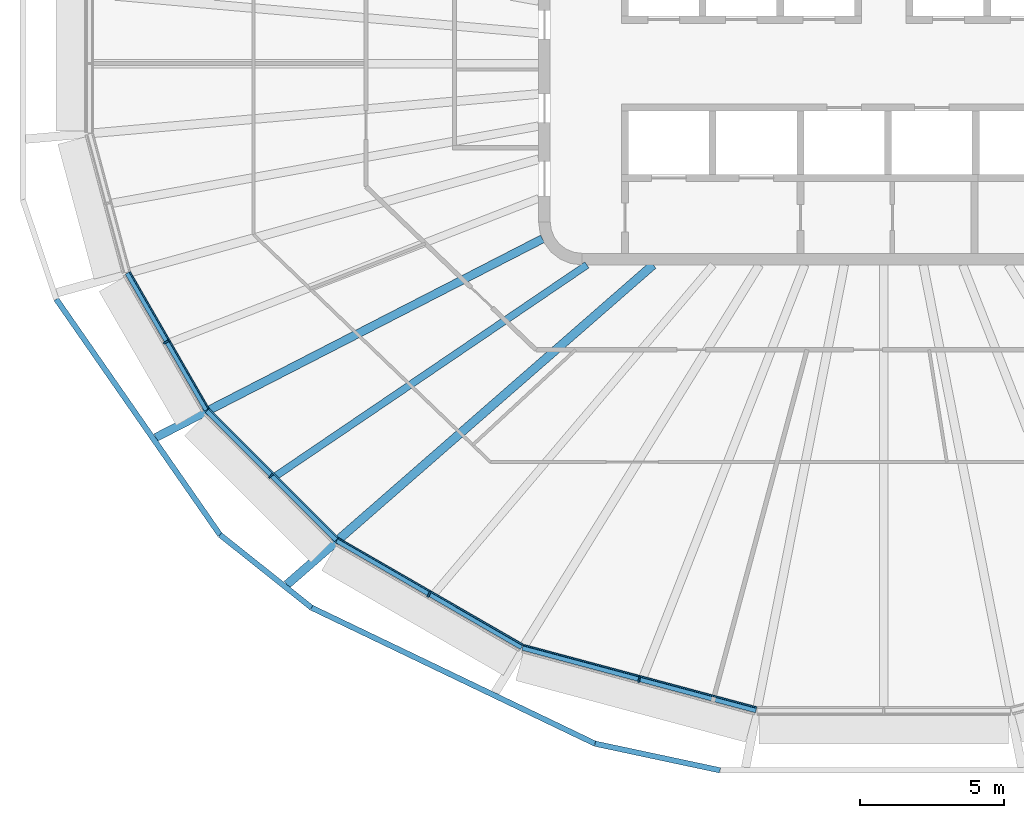
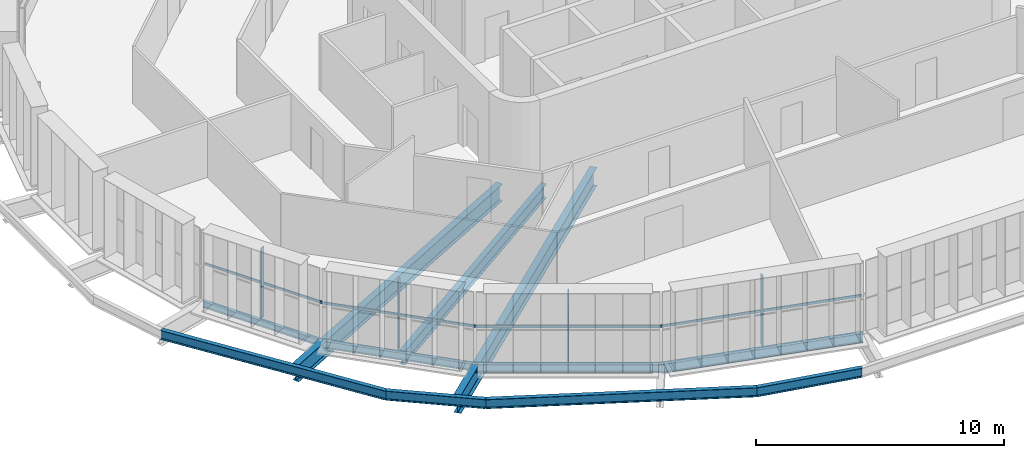
# One storey, part 1 of 18: 11 beams, 8 members, 4 elements without a shape of their own.
"""IFC4 building model written with IfcOpenShell, lengths in metres."""

from ifc_helpers import new_model, si_unit, direction, frame, origin, origin_2d, place, context, subcontext, project, spatial, rectangle, i_section, extrude, material, layer, layer_set, material_profile, profile_set, type_object, element, aggregate, save


model = new_model("IFC4")

# Units and contexts
model_context = context("Model", 3, precision=1e-05, world=origin(), true_north=direction((0.0, 1.0)))
body_context = subcontext(model_context, "Body", "Model", "MODEL_VIEW")
ifc_project = project(units=[si_unit("LENGTHUNIT", "METRE"), si_unit("AREAUNIT", "SQUARE_METRE"), si_unit("VOLUMEUNIT", "CUBIC_METRE"), si_unit("PLANEANGLEUNIT", "RADIAN"), si_unit("MASSUNIT", "GRAM", prefix="KILO")], contexts=[model_context])

# Site, building, storey
site_placement = place(None, origin())
site = spatial("IfcSite", under=ifc_project, at=site_placement, CompositionType="ELEMENT")
building_placement = place(site_placement, origin())
building = spatial("IfcBuilding", under=site, at=building_placement, Name="Sahrelin Media Tower", CompositionType="ELEMENT")
storey_placement = place(building_placement, frame((0.0, 0.0, 295.0)))
storey = spatial("IfcBuildingStorey", under=building, at=storey_placement, Name="L65", CompositionType="ELEMENT", Elevation=295.0)

# Beams
ifc_material_1 = material(Name="Steel S355", Category="steel")
ifc_material_profile_1 = material_profile(ifc_material_1, i_section(OverallWidth=0.1650390625, OverallDepth=0.303466796875, WebThickness=0.006103515625, FlangeThickness=0.01025390625, FilletRadius=0.0087890625, at=origin_2d()), Name="UB 305x165x40")
ifc_profile_set_1 = profile_set([ifc_material_profile_1], Name="Steel S355")
beam_type_1 = type_object("IfcBeamType", Name="Edge beam EB2", PredefinedType="BEAM", material=ifc_profile_set_1)
beam_1_placement = place(storey_placement, frame((-23.54931640625, -12.04931640625, -0.3017578125), z_axis=(-0.500009232748, 0.866020073189, 0.0), x_axis=(-0.866020073189, -0.500009232748, 0.0)))
element("IfcBeam", 1, at=beam_1_placement, inside=storey, type_object=beam_type_1, Name="Edge beam L65-11", PredefinedType="BEAM", context=body_context, shape_type="SweptSolid", body=[
    extrude(i_section(OverallWidth=0.1650390625, OverallDepth=0.303466796875, WebThickness=0.006103515625, FlangeThickness=0.01025390625, FilletRadius=0.0087890625, at=origin_2d()), origin(), (0.0, 0.0, 1.0), 5.50244140625),
])
ifc_material_profile_2 = material_profile(ifc_material_1, i_section(OverallWidth=0.17138671875, OverallDepth=0.35498046875, WebThickness=0.00732421875, FlangeThickness=0.011474609375, FilletRadius=0.01025390625, at=origin_2d()), Name="UB 356x171x51")
ifc_profile_set_2 = profile_set([ifc_material_profile_2], Name="Steel S355")
beam_type_2 = type_object("IfcBeamType", Name="Edge beam EB3", PredefinedType="BEAM", material=ifc_profile_set_2)
beam_2_placement = place(storey_placement, frame((-19.04052734375, -16.5634765625, -0.327392578125), z_axis=(-0.707106781187, 0.707106781187, 0.0), x_axis=(-0.707106781187, -0.707106781187, 0.0)))
element("IfcBeam", 2, at=beam_2_placement, inside=storey, type_object=beam_type_2, Name="Edge beam L65-10", PredefinedType="BEAM", context=body_context, shape_type="SweptSolid", body=[
    extrude(i_section(OverallWidth=0.17138671875, OverallDepth=0.35498046875, WebThickness=0.00732421875, FlangeThickness=0.011474609375, FilletRadius=0.01025390625, at=origin_2d()), origin(), (0.0, 0.0, 1.0), 6.3515625),
])
ifc_material_profile_3 = material_profile(ifc_material_1, i_section(OverallWidth=0.177978515625, OverallDepth=0.406494140625, WebThickness=0.0078125, FlangeThickness=0.0126953125, FilletRadius=0.01025390625, at=origin_2d()), Name="UB 406x178x60")
ifc_profile_set_3 = profile_set([ifc_material_profile_3], Name="Steel S355")
beam_type_3 = type_object("IfcBeamType", Name="Edge beam EB4", PredefinedType="BEAM", material=ifc_profile_set_3)
beam_3_placement = place(storey_placement, frame((-12.58544921875, -20.294677734375, -0.353271484375), z_axis=(-0.866009322333, 0.500027852856, 0.0), x_axis=(-0.500027852856, -0.866009322333, 0.0)))
element("IfcBeam", 3, at=beam_3_placement, inside=storey, type_object=beam_type_3, Name="Edge beam L65-09", PredefinedType="BEAM", context=body_context, shape_type="SweptSolid", body=[
    extrude(i_section(OverallWidth=0.177978515625, OverallDepth=0.406494140625, WebThickness=0.0078125, FlangeThickness=0.0126953125, FilletRadius=0.01025390625, at=origin_2d()), origin(), (0.0, 0.0, 1.0), 7.42724609375),
])
ifc_material_profile_4 = material_profile(ifc_material_1, i_section(OverallWidth=0.1904296875, OverallDepth=0.45703125, WebThickness=0.009033203125, FlangeThickness=0.014404296875, FilletRadius=0.01025390625, at=origin_2d()), Name="UB 457x191x74")
ifc_profile_set_4 = profile_set([ifc_material_profile_4], Name="Steel S355")
beam_type_4 = type_object("IfcBeamType", Name="Edge beam EB5", PredefinedType="BEAM", material=ifc_profile_set_4)
beam_4_placement = place(storey_placement, frame((-4.4375, -22.481689453125, -0.37841796875), z_axis=(-0.965928221005, 0.258810107735, 0.0), x_axis=(-0.258810107735, -0.965928221005, 0.0)))
element("IfcBeam", 4, at=beam_4_placement, inside=storey, type_object=beam_type_4, Name="Edge beam L65-08", PredefinedType="BEAM", context=body_context, shape_type="SweptSolid", body=[
    extrude(i_section(OverallWidth=0.1904296875, OverallDepth=0.45703125, WebThickness=0.009033203125, FlangeThickness=0.014404296875, FilletRadius=0.01025390625, at=origin_2d()), origin(), (0.0, 0.0, 1.0), 8.40771484375),
])

# Curtain wall, member
ifc_material_2 = material(Name="Champagne anodised aluminium 6063-T6", Category="aluminium")
ifc_layer = layer(ifc_material_2, 0.14990234375)
ifc_layer_set = layer_set([ifc_layer], Name="Tower ribbon curtain wall")
curtain_wall_type = type_object("IfcCurtainWallType", Name="Tower ribbon curtain wall", PredefinedType="NOTDEFINED", material=ifc_layer_set)
curtain_wall_1_placement = place(storey_placement, frame((-25.0546875, -9.74169921875, 0.0), z_axis=(0.0, 0.0, 1.0), x_axis=(1.0, 0.0, 0.0)))
curtain_wall_1 = element("IfcCurtainWall", 5, at=curtain_wall_1_placement, inside=storey, type_object=curtain_wall_type, Name="L65:CW:L65-14", PredefinedType="NOTDEFINED")
ifc_material_profile_5 = material_profile(ifc_material_2, rectangle(XDim=0.06005859375, YDim=0.199951171875, at=origin_2d()), Name="Mullion 60x200")
ifc_profile_set_5 = profile_set([ifc_material_profile_5], Name="Champagne anodised aluminium 6063-T6")
member_type_1 = type_object("IfcMemberType", Name="Mullion 60x200 CW1C", PredefinedType="MULLION", material=ifc_profile_set_5)
member_1_placement = place(storey_placement, frame((-24.950927734375, -9.681640625, 0.0), z_axis=(0.0, 0.0, 1.0), x_axis=(0.500010580459, -0.866019295067, 0.0)))
member_1 = element("IfcMember", 6, at=member_1_placement, type_object=member_type_1, Name="L65:CWM:L65-14", PredefinedType="MULLION", context=body_context, shape_type="SweptSolid", body=[
    extrude(rectangle(XDim=0.06005859375, YDim=0.199951171875, at=origin_2d()), origin(), (0.0, 0.0, 1.0), 3.448486328125),
])

curtain_wall_2_placement = place(storey_placement, frame((-21.392333984375, -14.423828125, 0.0), z_axis=(0.0, 0.0, 1.0), x_axis=(1.0, 0.0, 0.0)))
curtain_wall_2 = element("IfcCurtainWall", 7, at=curtain_wall_2_placement, inside=storey, type_object=curtain_wall_type, Name="L65:CW:L65-15", PredefinedType="NOTDEFINED")
member_2_placement = place(storey_placement, frame((-21.307373046875, -14.339111328125, 0.0), z_axis=(0.0, 0.0, 1.0), x_axis=(0.707106781187, -0.707106781187, 0.0)))
member_2 = element("IfcMember", 8, at=member_2_placement, type_object=member_type_1, Name="L65:CWM:L65-15", PredefinedType="MULLION", context=body_context, shape_type="SweptSolid", body=[
    extrude(rectangle(XDim=0.06005859375, YDim=0.199951171875, at=origin_2d()), origin(), (0.0, 0.0, 1.0), 3.448486328125),
])

curtain_wall_3_placement = place(storey_placement, frame((-15.87646484375, -18.567626953125, 0.0), z_axis=(0.0, 0.0, 1.0), x_axis=(1.0, 0.0, 0.0)))
curtain_wall_3 = element("IfcCurtainWall", 9, at=curtain_wall_3_placement, inside=storey, type_object=curtain_wall_type, Name="L65:CW:L65-16", PredefinedType="NOTDEFINED")
member_3_placement = place(storey_placement, frame((-15.81640625, -18.4638671875, 0.0), z_axis=(0.0, 0.0, 1.0), x_axis=(0.866024531118, -0.500001511499, 0.0)))
member_3 = element("IfcMember", 10, at=member_3_placement, type_object=member_type_1, Name="L65:CWM:L65-16", PredefinedType="MULLION", context=body_context, shape_type="SweptSolid", body=[
    extrude(rectangle(XDim=0.06005859375, YDim=0.199951171875, at=origin_2d()), origin(), (0.0, 0.0, 1.0), 3.448486328125),
])

curtain_wall_4_placement = place(storey_placement, frame((-8.536865234375, -21.53857421875, 0.0), z_axis=(0.0, 0.0, 1.0), x_axis=(1.0, 0.0, 0.0)))
curtain_wall_4 = element("IfcCurtainWall", 11, at=curtain_wall_4_placement, inside=storey, type_object=curtain_wall_type, Name="L65:CW:L65-17", PredefinedType="NOTDEFINED")
member_4_placement = place(storey_placement, frame((-8.505859375, -21.422607421875, 0.0), z_axis=(0.0, 0.0, 1.0), x_axis=(0.965927633163, -0.258812301662, 0.0)))
member_4 = element("IfcMember", 12, at=member_4_placement, type_object=member_type_1, Name="L65:CWM:L65-17", PredefinedType="MULLION", context=body_context, shape_type="SweptSolid", body=[
    extrude(rectangle(XDim=0.06005859375, YDim=0.199951171875, at=origin_2d()), origin(), (0.0, 0.0, 1.0), 3.448486328125),
])

# Beams
ifc_material_profile_6 = material_profile(ifc_material_1, i_section(OverallWidth=0.291748046875, OverallDepth=0.8349609375, WebThickness=0.013916015625, FlangeThickness=0.018798828125, FilletRadius=0.017822265625, at=origin_2d()), Name="UB 838x292x176")
ifc_profile_set_6 = profile_set([ifc_material_profile_6], Name="Steel S355")
beam_type_5 = type_object("IfcBeamType", Name="Radial primary beam PB10", PredefinedType="BEAM", material=ifc_profile_set_6)
beam_5_placement = place(storey_placement, frame((-11.86376953125, -6.09375, -0.5673828125), z_axis=(-0.889517357892, -0.456901378865, 0.0), x_axis=(0.456901378865, -0.889517357892, 0.0)))
element("IfcBeam", 13, at=beam_5_placement, inside=storey, type_object=beam_type_5, Name="Radial beam L65-15", PredefinedType="BEAM", context=body_context, shape_type="SweptSolid", body=[
    extrude(i_section(OverallWidth=0.291748046875, OverallDepth=0.8349609375, WebThickness=0.013916015625, FlangeThickness=0.018798828125, FilletRadius=0.017822265625, at=origin_2d()), origin(), (0.0, 0.0, 1.0), 15.11962890625),
])
ifc_material_profile_7 = material_profile(ifc_material_1, i_section(OverallWidth=0.30322265625, OverallDepth=0.903076171875, WebThickness=0.01513671875, FlangeThickness=0.020263671875, FilletRadius=0.01904296875, at=origin_2d()), Name="UB 914x305x201")
ifc_profile_set_7 = profile_set([ifc_material_profile_7], Name="Steel S355")
beam_type_6 = type_object("IfcBeamType", Name="Radial primary beam PB11", PredefinedType="BEAM", material=ifc_profile_set_7)
beam_6_placement = place(storey_placement, frame((-8.018310546875, -7.0, -0.6015625), z_axis=(-0.753326939071, -0.657646198856, 0.0), x_axis=(0.657646198856, -0.753326939071, 0.0)))
element("IfcBeam", 14, at=beam_6_placement, inside=storey, type_object=beam_type_6, Name="Radial beam L65-16", PredefinedType="BEAM", context=body_context, shape_type="SweptSolid", body=[
    extrude(i_section(OverallWidth=0.30322265625, OverallDepth=0.903076171875, WebThickness=0.01513671875, FlangeThickness=0.020263671875, FilletRadius=0.01904296875, at=origin_2d()), origin(), (0.0, 0.0, 1.0), 16.90185546875),
])
ifc_material_profile_8 = material_profile(ifc_material_1, i_section(OverallWidth=0.2529296875, OverallDepth=0.677978515625, WebThickness=0.01171875, FlangeThickness=0.01611328125, FilletRadius=0.01513671875, at=origin_2d()), Name="UB 686x254x125")
ifc_profile_set_8 = profile_set([ifc_material_profile_8], Name="Steel S355")
beam_type_7 = type_object("IfcBeamType", Name="Radial secondary beam SB8", PredefinedType="BEAM", material=ifc_profile_set_8)
beam_7_placement = place(storey_placement, frame((-10.318115234375, -7.0, -0.489013671875), z_axis=(-0.827525335728, -0.56142837364, 0.0), x_axis=(0.56142837364, -0.827525335728, 0.0)))
element("IfcBeam", 15, at=beam_7_placement, inside=storey, type_object=beam_type_7, Name="Secondary beam L65-15", PredefinedType="BEAM", context=body_context, shape_type="SweptSolid", body=[
    extrude(i_section(OverallWidth=0.2529296875, OverallDepth=0.677978515625, WebThickness=0.01171875, FlangeThickness=0.01611328125, FilletRadius=0.01513671875, at=origin_2d()), origin(), (0.0, 0.0, 1.0), 13.077880859375),
])
ifc_material_profile_9 = material_profile(ifc_material_1, i_section(OverallWidth=0.1904296875, OverallDepth=0.45703125, WebThickness=0.009033203125, FlangeThickness=0.014404296875, FilletRadius=0.01025390625, at=origin_2d()), Name="UB 457x191x74")
ifc_profile_set_9 = profile_set([ifc_material_profile_9], Name="Steel S355")
beam_type_8 = type_object("IfcBeamType", Name="Tie chord TC5", PredefinedType="BEAM", material=ifc_profile_set_9)
beam_8_placement = place(storey_placement, frame((-28.772216796875, -8.1904296875, -0.37841796875), z_axis=(0.570635637769, -0.821203366352, 0.0), x_axis=(0.821203366352, 0.570635637769, 0.0)))
element("IfcBeam", 16, at=beam_8_placement, inside=storey, type_object=beam_type_8, Name="Tie chord L65-14", PredefinedType="BEAM", context=body_context, shape_type="SweptSolid", body=[
    extrude(i_section(OverallWidth=0.1904296875, OverallDepth=0.45703125, WebThickness=0.009033203125, FlangeThickness=0.014404296875, FilletRadius=0.01025390625, at=origin_2d()), origin(), (0.0, 0.0, 1.0), 9.976318359375),
])
beam_9_placement = place(storey_placement, frame((-23.079345703125, -16.383056640625, -0.37841796875), z_axis=(0.782272559635, -0.62293630689, 0.0), x_axis=(0.62293630689, 0.782272559635, 0.0)))
element("IfcBeam", 17, at=beam_9_placement, inside=storey, type_object=beam_type_8, Name="Tie chord L65-15", PredefinedType="BEAM", context=body_context, shape_type="SweptSolid", body=[
    extrude(i_section(OverallWidth=0.1904296875, OverallDepth=0.45703125, WebThickness=0.009033203125, FlangeThickness=0.014404296875, FilletRadius=0.01025390625, at=origin_2d()), origin(), (0.0, 0.0, 1.0), 4.066650390625),
])
beam_10_placement = place(storey_placement, frame((-19.898193359375, -18.916259765625, -0.37841796875), z_axis=(0.901625452697, -0.432517679465, 0.0), x_axis=(0.432517679465, 0.901625452697, 0.0)))
element("IfcBeam", 18, at=beam_10_placement, inside=storey, type_object=beam_type_8, Name="Tie chord L65-16", PredefinedType="BEAM", context=body_context, shape_type="SweptSolid", body=[
    extrude(i_section(OverallWidth=0.1904296875, OverallDepth=0.45703125, WebThickness=0.009033203125, FlangeThickness=0.014404296875, FilletRadius=0.01025390625, at=origin_2d()), origin(), (0.0, 0.0, 1.0), 10.93603515625),
])
beam_11_placement = place(storey_placement, frame((-10.0380859375, -23.646240234375, -0.37841796875), z_axis=(0.977982969165, -0.208684719191, 0.0), x_axis=(0.208684719191, 0.977982969165, 0.0)))
element("IfcBeam", 19, at=beam_11_placement, inside=storey, type_object=beam_type_8, Name="Tie chord L65-17", PredefinedType="BEAM", context=body_context, shape_type="SweptSolid", body=[
    extrude(i_section(OverallWidth=0.1904296875, OverallDepth=0.45703125, WebThickness=0.009033203125, FlangeThickness=0.014404296875, FilletRadius=0.01025390625, at=origin_2d()), origin(), (0.0, 0.0, 1.0), 4.443359375),
])

# Member
ifc_material_profile_10 = material_profile(ifc_material_2, rectangle(XDim=0.050048828125, YDim=0.1201171875, at=origin_2d()), Name="Transom 50x120")
ifc_profile_set_10 = profile_set([ifc_material_profile_10], Name="Champagne anodised aluminium 6063-T6")
member_type_2 = type_object("IfcMemberType", Name="Transom 50x120 CW1C", PredefinedType="USERDEFINED", material=ifc_profile_set_10)
member_5_placement = place(storey_placement, frame((-26.21044921875, -7.250244140625, 1.60009765625), z_axis=(0.500012159746, -0.866018383238, 0.0), x_axis=(0.866018383238, 0.500012159746, 0.0)))
member_5 = element("IfcMember", 20, at=member_5_placement, type_object=member_type_2, Name="L65:CWT:L65-14", ObjectType="TRANSOM", PredefinedType="USERDEFINED", context=body_context, shape_type="SweptSolid", body=[
    extrude(rectangle(XDim=0.050048828125, YDim=0.1201171875, at=origin_2d()), origin(), (0.0, 0.0, 1.0), 5.470947265625),
])

aggregate(curtain_wall_1, [member_1, member_5])

member_6_placement = place(storey_placement, frame((-23.45361328125, -12.01611328125, 1.60009765625), z_axis=(0.707106781187, -0.707106781187, 0.0), x_axis=(0.707106781187, 0.707106781187, 0.0)))
member_6 = element("IfcMember", 21, at=member_6_placement, type_object=member_type_2, Name="L65:CWT:L65-15", ObjectType="TRANSOM", PredefinedType="USERDEFINED", context=body_context, shape_type="SweptSolid", body=[
    extrude(rectangle(XDim=0.050048828125, YDim=0.1201171875, at=origin_2d()), origin(), (0.0, 0.0, 1.0), 6.320068359375),
])

aggregate(curtain_wall_2, [member_2, member_6])

member_7_placement = place(storey_placement, frame((-18.95654296875, -16.506591796875, 1.60009765625), z_axis=(0.866022320763, -0.500005339912, 0.0), x_axis=(0.500005339912, 0.866022320763, 0.0)))
member_7 = element("IfcMember", 22, at=member_7_placement, type_object=member_type_2, Name="L65:CWT:L65-16", ObjectType="TRANSOM", PredefinedType="USERDEFINED", context=body_context, shape_type="SweptSolid", body=[
    extrude(rectangle(XDim=0.050048828125, YDim=0.1201171875, at=origin_2d()), origin(), (0.0, 0.0, 1.0), 7.39599609375),
])

aggregate(curtain_wall_3, [member_3, member_7])

member_8_placement = place(storey_placement, frame((-12.51904296875, -20.218017578125, 1.60009765625), z_axis=(0.965926585438, -0.258816211903, 0.0), x_axis=(0.258816211903, 0.965926585438, 0.0)))
member_8 = element("IfcMember", 23, at=member_8_placement, type_object=member_type_2, Name="L65:CWT:L65-17", ObjectType="TRANSOM", PredefinedType="USERDEFINED", context=body_context, shape_type="SweptSolid", body=[
    extrude(rectangle(XDim=0.050048828125, YDim=0.1201171875, at=origin_2d()), origin(), (0.0, 0.0, 1.0), 8.37646484375),
])

aggregate(curtain_wall_4, [member_4, member_8])

save(model, "model.ifc")
